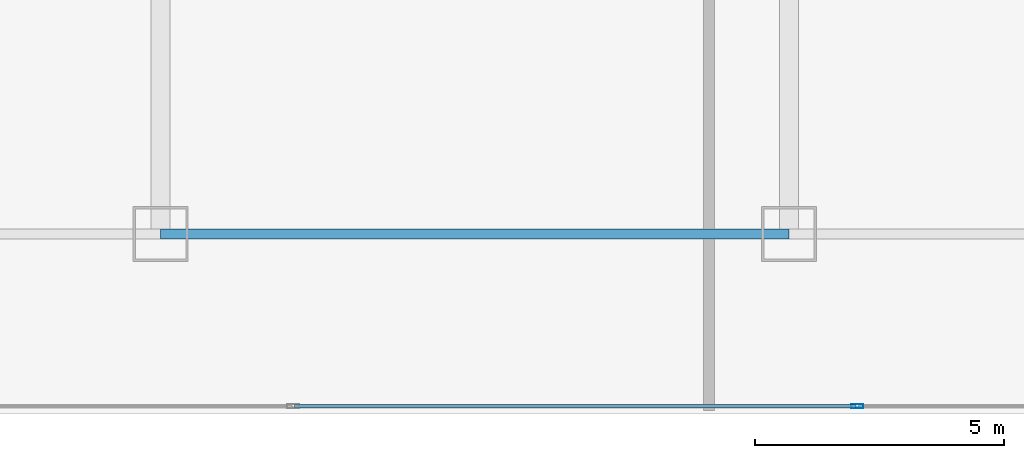
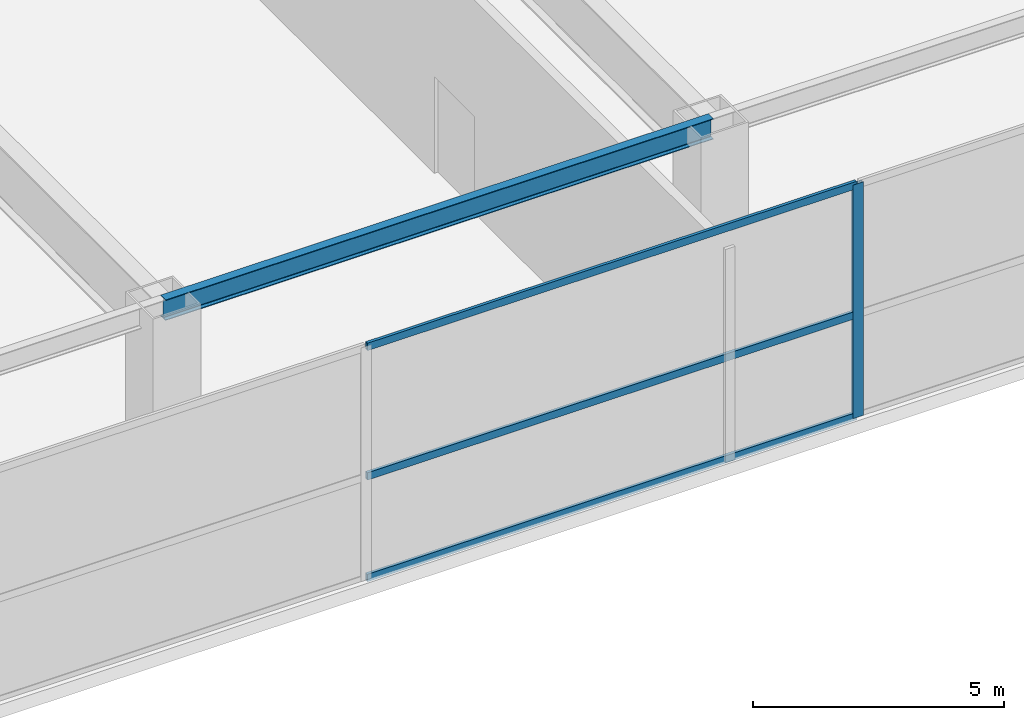
# One storey, part 12 of 35: 4 members, 1 beam, 1 element without a shape of its own.
"""IFC4 building model written with IfcOpenShell, lengths in metres."""

from ifc_helpers import new_model, si_unit, direction, frame, origin, origin_2d, place, context, subcontext, project, spatial, hollow_rectangle, i_section, extrude, material, layer, layer_set, material_profile, profile_set, type_object, element, aggregate, save


model = new_model("IFC4")

# Units and contexts
model_context = context("Model", 3, precision=1e-05, world=origin(), true_north=direction((0.0, 1.0)))
body_context = subcontext(model_context, "Body", "Model", "MODEL_VIEW")
ifc_project = project(units=[si_unit("LENGTHUNIT", "METRE"), si_unit("AREAUNIT", "SQUARE_METRE"), si_unit("VOLUMEUNIT", "CUBIC_METRE"), si_unit("PLANEANGLEUNIT", "RADIAN"), si_unit("MASSUNIT", "GRAM", prefix="KILO")], contexts=[model_context])

# Site, building, storey
site_placement = place(None, origin())
site = spatial("IfcSite", under=ifc_project, at=site_placement, CompositionType="ELEMENT")
building_placement = place(site_placement, origin())
building = spatial("IfcBuilding", under=site, at=building_placement, Name="Calvorn Quay Hotel", CompositionType="ELEMENT")
storey_placement = place(building_placement, frame((0.0, 0.0, 6.0)))
storey = spatial("IfcBuildingStorey", under=building, at=storey_placement, Name="L01", CompositionType="ELEMENT", Elevation=6.0)

# Beam
ifc_material_1 = material(Name="Steel Q355B", Category="steel")
ifc_material_profile_1 = material_profile(ifc_material_1, i_section(OverallWidth=0.199951171875, OverallDepth=0.5, WebThickness=0.010009765625, FlangeThickness=0.01611328125, FilletRadius=0.01611328125, at=origin_2d()), Name="HN500x200x10x16")
ifc_profile_set_1 = profile_set([ifc_material_profile_1], Name="Steel Q355B")
beam_type = type_object("IfcBeamType", Name="BM-SPANDREL-Z1", PredefinedType="SPANDREL", material=ifc_profile_set_1)
beam_placement = place(storey_placement, frame((45.0, 3.60009765625, 5.429931640625), z_axis=(1.0, 0.0, 0.0), x_axis=(0.0, 1.0, 0.0)))
element("IfcBeam", 1, at=beam_placement, inside=storey, type_object=beam_type, Name="Beam BSP-L01-S5", PredefinedType="SPANDREL", context=body_context, shape_type="SweptSolid", body=[
    extrude(i_section(OverallWidth=0.199951171875, OverallDepth=0.5, WebThickness=0.010009765625, FlangeThickness=0.01611328125, FilletRadius=0.01611328125, at=origin_2d()), origin(), (0.0, 0.0, 1.0), 12.60009765625),
])

# Curtain wall, members
ifc_material_2 = material(Name="Pale Anodised Aluminium and Low-E Glass", Category="aluminium")
ifc_layer = layer(ifc_material_2, 0.219970703125)
ifc_layer_set = layer_set([ifc_layer], Name="CW-SYS-POD")
curtain_wall_type = type_object("IfcCurtainWallType", Name="CW-SYS-POD", PredefinedType="NOTDEFINED", material=ifc_layer_set)
curtain_wall_placement = place(storey_placement, origin())
curtain_wall = element("IfcCurtainWall", 2, at=curtain_wall_placement, inside=storey, type_object=curtain_wall_type, Name="Podium Curtain Wall L01-S1", PredefinedType="NOTDEFINED")
ifc_material_3 = material(Name="Pale Anodised Aluminium 6063-T6", Category="aluminium")
ifc_material_profile_2 = material_profile(ifc_material_3, hollow_rectangle(XDim=0.080078125, YDim=0.239990234375, WallThickness=0.0048828125, at=origin_2d()), Name="ALU-M240x80x5")
ifc_profile_set_2 = profile_set([ifc_material_profile_2], Name="Pale Anodised Aluminium 6063-T6")
member_type_1 = type_object("IfcMemberType", Name="CW-SYS-POD-MUL", PredefinedType="MULLION", material=ifc_profile_set_2)
member_1_placement = place(storey_placement, frame((58.971435546875, 0.14990234375, 0.0), z_axis=(0.0, 0.0, 1.0), x_axis=(0.0, 1.0, 0.0)))
member_1 = element("IfcMember", 3, at=member_1_placement, type_object=member_type_1, Name="CW-L01-S1 mullion 6", PredefinedType="MULLION", context=body_context, shape_type="SweptSolid", body=[
    extrude(hollow_rectangle(XDim=0.080078125, YDim=0.239990234375, WallThickness=0.0048828125, at=origin_2d()), origin(), (0.0, 0.0, 1.0), 5.679931640625),
])
ifc_material_4 = material(Name="Pale Anodised Aluminium 6063-T6", Category="aluminium")
ifc_material_profile_3 = material_profile(ifc_material_4, hollow_rectangle(XDim=0.070068359375, YDim=0.179931640625, WallThickness=0.00390625, at=origin_2d()), Name="ALU-T180x70x4")
ifc_profile_set_3 = profile_set([ifc_material_profile_3], Name="Pale Anodised Aluminium 6063-T6")
member_type_2 = type_object("IfcMemberType", Name="CW-SYS-POD-TRN", PredefinedType="USERDEFINED", material=ifc_profile_set_3)
member_2_placement = place(storey_placement, frame((47.687255859375, 0.14990234375, 0.030029296875), z_axis=(1.0, 0.0, 0.0), x_axis=(0.0, 1.0, 0.0)))
member_2 = element("IfcMember", 4, at=member_2_placement, type_object=member_type_2, Name="CW-L01-S1 transom 5.1", ObjectType="TRANSOM", PredefinedType="USERDEFINED", context=body_context, shape_type="SweptSolid", body=[
    extrude(hollow_rectangle(XDim=0.070068359375, YDim=0.179931640625, WallThickness=0.00390625, at=origin_2d()), origin(), (0.0, 0.0, 1.0), 11.254150390625),
])
member_3_placement = place(storey_placement, frame((47.687255859375, 0.14990234375, 2.5), z_axis=(1.0, 0.0, 0.0), x_axis=(0.0, 1.0, 0.0)))
member_3 = element("IfcMember", 5, at=member_3_placement, type_object=member_type_2, Name="CW-L01-S1 transom 5.2", ObjectType="TRANSOM", PredefinedType="USERDEFINED", context=body_context, shape_type="SweptSolid", body=[
    extrude(hollow_rectangle(XDim=0.070068359375, YDim=0.179931640625, WallThickness=0.00390625, at=origin_2d()), origin(), (0.0, 0.0, 1.0), 11.254150390625),
])
member_4_placement = place(storey_placement, frame((47.687255859375, 0.14990234375, 5.64990234375), z_axis=(1.0, 0.0, 0.0), x_axis=(0.0, 1.0, 0.0)))
member_4 = element("IfcMember", 6, at=member_4_placement, type_object=member_type_2, Name="CW-L01-S1 transom 5.3", ObjectType="TRANSOM", PredefinedType="USERDEFINED", context=body_context, shape_type="SweptSolid", body=[
    extrude(hollow_rectangle(XDim=0.070068359375, YDim=0.179931640625, WallThickness=0.00390625, at=origin_2d()), origin(), (0.0, 0.0, 1.0), 11.254150390625),
])
aggregate(curtain_wall, [member_1, member_2, member_3, member_4])

save(model, "model.ifc")
